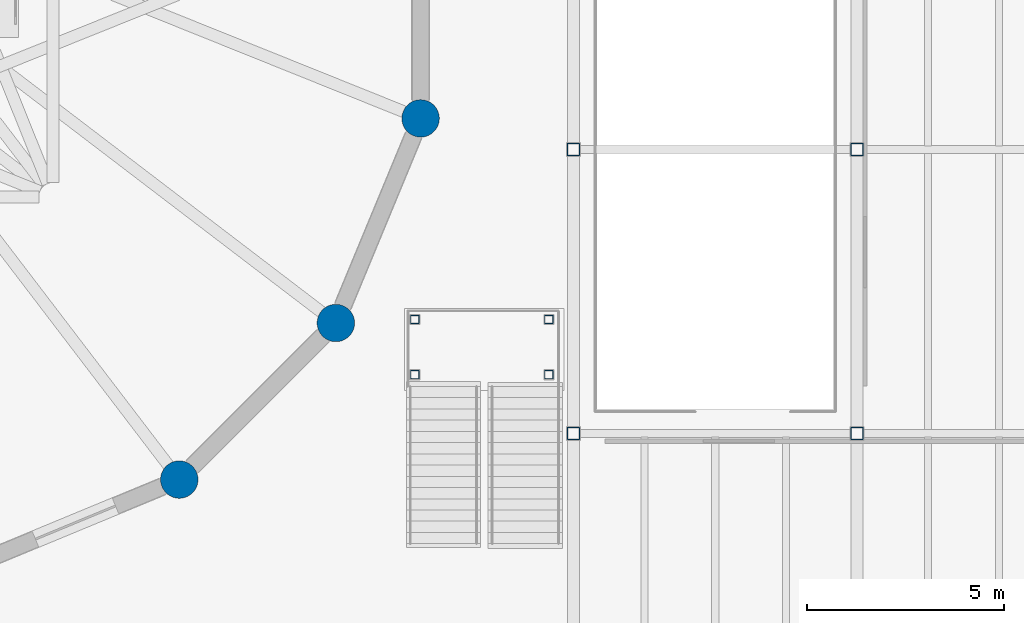
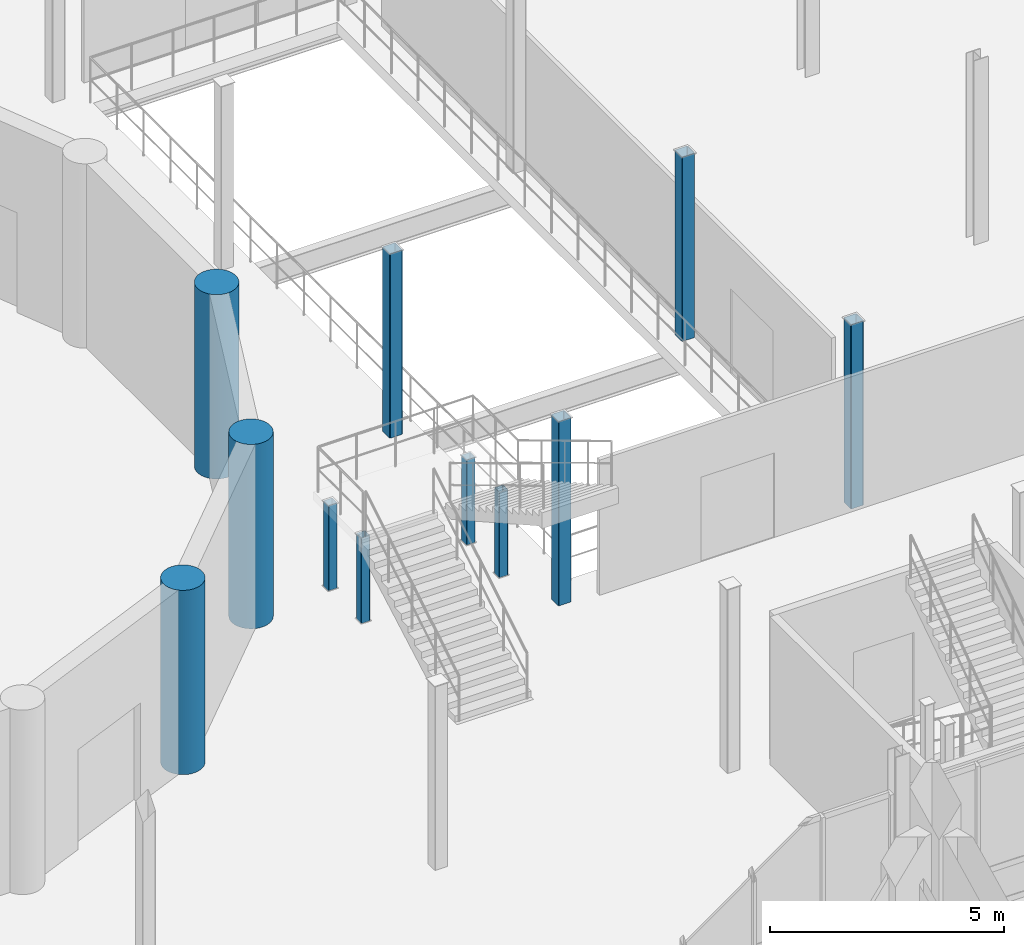
# One storey, part 8 of 77: 11 columns.
"""IFC4 building model written with IfcOpenShell, lengths in metres."""

from ifc_helpers import new_model, si_unit, direction, frame, origin, origin_2d, place, context, subcontext, project, spatial, hollow_rectangle, circle, extrude, material, material_profile, profile_set, type_object, element, save


model = new_model("IFC4")

# Units and contexts
model_context = context("Model", 3, precision=1e-05, world=origin(), true_north=direction((0.0, 1.0)))
body_context = subcontext(model_context, "Body", "Model", "MODEL_VIEW")
ifc_project = project(units=[si_unit("LENGTHUNIT", "METRE"), si_unit("AREAUNIT", "SQUARE_METRE"), si_unit("VOLUMEUNIT", "CUBIC_METRE"), si_unit("PLANEANGLEUNIT", "RADIAN"), si_unit("MASSUNIT", "GRAM", prefix="KILO")], contexts=[model_context])

# Site, building, storey
site_placement = place(None, origin())
site = spatial("IfcSite", under=ifc_project, at=site_placement, CompositionType="ELEMENT")
building_placement = place(site_placement, origin())
building = spatial("IfcBuilding", under=site, at=building_placement, Name="Qiaolan Assembly House", CompositionType="ELEMENT")
storey_placement = place(building_placement, frame((0.0, 0.0, 5.39990234375)))
storey = spatial("IfcBuildingStorey", under=building, at=storey_placement, Name="L01", CompositionType="ELEMENT", Elevation=5.39990234375)

# Columns
ifc_material_1 = material(Name="Concrete C50/60", Category="concrete")
ifc_material_profile_1 = material_profile(ifc_material_1, circle(Radius=0.47509765625, at=origin_2d()), Name="CIRC D950")
ifc_profile_set_1 = profile_set([ifc_material_profile_1], Name="Concrete C50/60")
column_type_1 = type_object("IfcColumnType", Name="COL-DRUM-D950", PredefinedType="COLUMN", material=ifc_profile_set_1)
for number, where, z_axis, x_axis, name in (
    (1, (76.400146484375, 49.226806640625, 0.0), (0.0, 0.0, 1.0), (1.0, 0.0, 0.0), "DC-01 chamber drum pier 14 L01"),
    (2, (80.373046875, 53.19970703125, 0.0), (0.0, 0.0, 1.0), (1.0, 0.0, 0.0), "DC-01 chamber drum pier 15 L01"),
    (3, (82.523193359375, 58.390625, 0.0), (0.0, 0.0, 1.0), (1.0, 0.0, 0.0), "DC-01 chamber drum pier 16 L01"),
):
    element("IfcColumn", number, at=place(storey_placement, frame(where, z_axis=z_axis, x_axis=x_axis)), inside=storey, type_object=column_type_1, Name=name, PredefinedType="COLUMN", context=body_context, shape_type="SweptSolid", body=[
        extrude(circle(Radius=0.47509765625, at=origin_2d()), origin(), (0.0, 0.0, 1.0), 4.800048828125),
    ])
ifc_material_2 = material(Name="Steel Q355B", Category="steel")
ifc_material_profile_2 = material_profile(ifc_material_2, hollow_rectangle(XDim=0.219970703125, YDim=0.219970703125, WallThickness=0.010009765625, InnerFilletRadius=0.010009765625, OuterFilletRadius=0.02001953125, at=origin_2d()), Name="SHS 220x220x10")
ifc_profile_set_2 = profile_set([ifc_material_profile_2], Name="Steel Q355B")
column_type_2 = type_object("IfcColumnType", Name="COL-STL-SHS220", PredefinedType="COLUMN", material=ifc_profile_set_2)
for number, where, z_axis, x_axis, name in (
    (4, (82.3798828125, 51.889892578125, 0.0), (0.0, 0.0, 1.0), (1.0, 0.0, 0.0), "SC-08 gallery stair support column ST-G2-1"),
    (5, (85.780029296875, 51.889892578125, 0.0), (0.0, 0.0, 1.0), (1.0, 0.0, 0.0), "SC-08 gallery stair support column ST-G2-2"),
    (6, (82.3798828125, 53.2900390625, 0.0), (0.0, 0.0, 1.0), (1.0, 0.0, 0.0), "SC-08 gallery stair support column ST-G2-3"),
    (7, (85.780029296875, 53.2900390625, 0.0), (0.0, 0.0, 1.0), (1.0, 0.0, 0.0), "SC-08 gallery stair support column ST-G2-4"),
):
    element("IfcColumn", number, at=place(storey_placement, frame(where, z_axis=z_axis, x_axis=x_axis)), inside=storey, type_object=column_type_2, Name=name, PredefinedType="COLUMN", context=body_context, shape_type="SweptSolid", body=[
        extrude(hollow_rectangle(XDim=0.219970703125, YDim=0.219970703125, WallThickness=0.010009765625, InnerFilletRadius=0.010009765625, OuterFilletRadius=0.02001953125, at=origin_2d()), origin(), (0.0, 0.0, 1.0), 2.22021484375),
    ])
ifc_material_profile_3 = material_profile(ifc_material_2, hollow_rectangle(XDim=0.320068359375, YDim=0.320068359375, WallThickness=0.011962890625, InnerFilletRadius=0.011962890625, OuterFilletRadius=0.02392578125, at=origin_2d()), Name="SHS 320x320x12")
ifc_profile_set_3 = profile_set([ifc_material_profile_3], Name="Steel Q355B")
column_type_3 = type_object("IfcColumnType", Name="COL-STL-SHS320", PredefinedType="COLUMN", material=ifc_profile_set_3)
for number, where, z_axis, x_axis, name in (
    (8, (86.39990234375, 50.39990234375, 0.0), (0.0, 0.0, 1.0), (1.0, 0.0, 0.0), "SC-09 hall column L01"),
    (9, (86.39990234375, 57.60009765625, 0.0), (0.0, 0.0, 1.0), (1.0, 0.0, 0.0), "SC-09 hall column L01"),
    (10, (93.60009765625, 50.39990234375, 0.0), (0.0, 0.0, 1.0), (1.0, 0.0, 0.0), "SC-09 hall column L01"),
    (11, (93.60009765625, 57.60009765625, 0.0), (0.0, 0.0, 1.0), (1.0, 0.0, 0.0), "SC-09 hall column L01"),
):
    element("IfcColumn", number, at=place(storey_placement, frame(where, z_axis=z_axis, x_axis=x_axis)), inside=storey, type_object=column_type_3, Name=name, PredefinedType="COLUMN", context=body_context, shape_type="SweptSolid", body=[
        extrude(hollow_rectangle(XDim=0.320068359375, YDim=0.320068359375, WallThickness=0.011962890625, InnerFilletRadius=0.011962890625, OuterFilletRadius=0.02392578125, at=origin_2d()), origin(), (0.0, 0.0, 1.0), 4.800048828125),
    ])

save(model, "model.ifc")
